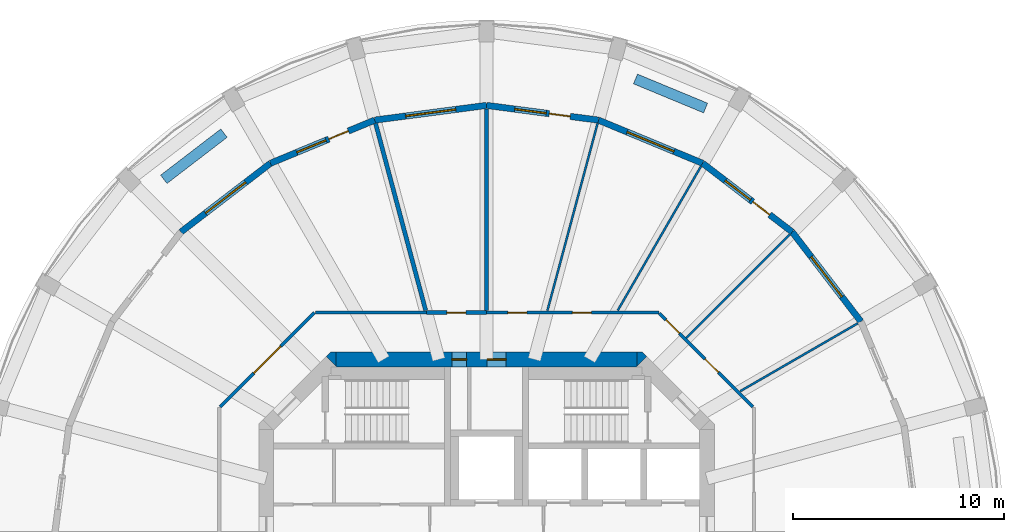
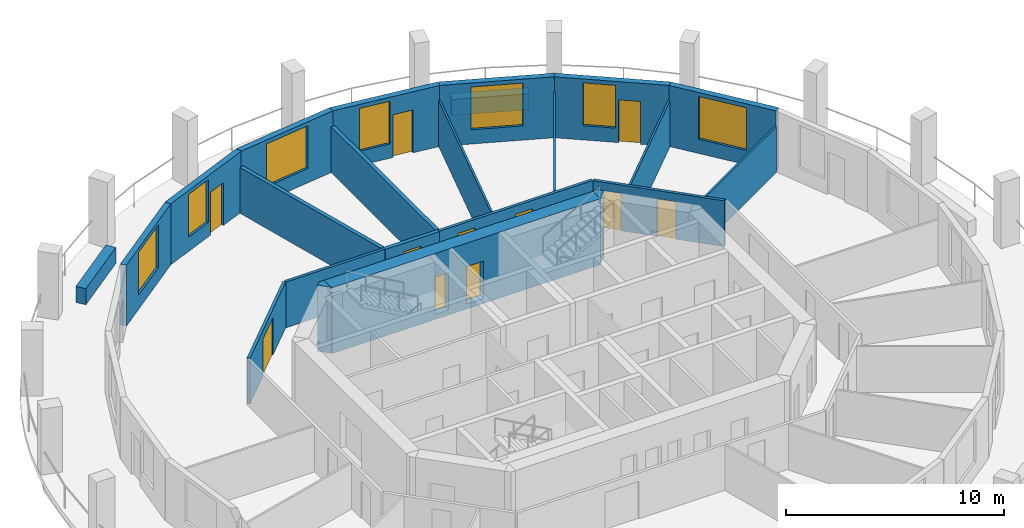
# One storey, part 6 of 9: 23 walls, 11 doors, 7 windows, 18 openings.
"""IFC4 building model written with IfcOpenShell, lengths in metres."""

from ifc_helpers import new_model, si_unit, direction, frame, frame_2d, origin, place, context, subcontext, project, spatial, polyline, rectangle, outline, extrude, material, layer, layer_set, type_object, element, fill, save


model = new_model("IFC4")

# Units and contexts
model_context = context("Model", 3, precision=1e-05, world=origin(), true_north=direction((0.0, 1.0)))
body_context = subcontext(model_context, "Body", "Model", "MODEL_VIEW")
ifc_project = project(units=[si_unit("LENGTHUNIT", "METRE"), si_unit("AREAUNIT", "SQUARE_METRE"), si_unit("VOLUMEUNIT", "CUBIC_METRE"), si_unit("PLANEANGLEUNIT", "RADIAN"), si_unit("MASSUNIT", "GRAM", prefix="KILO")], contexts=[model_context])

# Site, building, storey
site_placement = place(None, origin())
site = spatial("IfcSite", under=ifc_project, at=site_placement, CompositionType="ELEMENT")
building_placement = place(site_placement, origin())
building = spatial("IfcBuilding", under=site, at=building_placement, Name="Torre Triforio", CompositionType="ELEMENT")
storey_placement = place(building_placement, frame((0.0, 0.0, 233.5)))
storey = spatial("IfcBuildingStorey", under=building, at=storey_placement, Name="L53", CompositionType="ELEMENT", Elevation=233.5)

# Wall, openings, doors
ifc_material_1 = material(Name="Concrete C50", Category="concrete")
ifc_layer_1 = layer(ifc_material_1, 0.699951171875)
ifc_layer_set_1 = layer_set([ifc_layer_1], Name="Concrete C50")
wall_type_1 = type_object("IfcWallType", Name="Core wall 700 mm C50 EI 120", PredefinedType="SHEAR", material=ifc_layer_set_1)
wall_1_placement = place(storey_placement, frame((-7.1298828125, 8.449951171875, -0.280029296875), z_axis=(0.0, 0.0, 1.0), x_axis=(1.0, 0.0, 0.0)))
wall_1 = element("IfcWall", 1, at=wall_1_placement, inside=storey, type_object=wall_type_1, Name="Core wall", PredefinedType="SHEAR", context=body_context, shape_type="SweptSolid", body=[
    extrude(rectangle(XDim=14.259765625, YDim=0.699951171875, at=frame_2d((7.1298828125, 0.0))), origin(), (0.0, 0.0, 1.0), 3.699951171875),
])
opening_1_placement = place(wall_1_placement, frame((5.47998046875, 0.0, 0.280029296875)))
opening_1 = element("IfcOpeningElement", 2, at=opening_1_placement, cuts=wall_1, Name="Opening RISER-N", PredefinedType="OPENING", context=body_context, shape_type="SweptSolid", body=[
    extrude(rectangle(XDim=0.699951171875, YDim=2.10009765625, at=frame_2d((0.35009765625, 1.050048828125))), frame((0.0, 0.35986328125, 0.0), z_axis=(0.0, -1.0, 0.0), x_axis=(1.0, 0.0, 0.0)), (0.0, 0.0, 1.0), 0.719970703125),
])
opening_2_placement = place(wall_1_placement, frame((7.155029296875, 0.0, 0.280029296875)))
opening_2 = element("IfcOpeningElement", 3, at=opening_2_placement, cuts=wall_1, Name="Opening NE-01", PredefinedType="OPENING", context=body_context, shape_type="SweptSolid", body=[
    extrude(rectangle(XDim=0.89990234375, YDim=2.10009765625, at=frame_2d((0.449951171875, 1.050048828125))), frame((0.0, 0.35986328125, 0.0), z_axis=(0.0, -1.0, 0.0), x_axis=(1.0, 0.0, 0.0)), (0.0, 0.0, 1.0), 0.719970703125),
])
ifc_material_2 = material(Name="Hollow metal fire door leaf")
door_type_1 = type_object("IfcDoorType", Name="Riser door 700 x 2100 EI 60", OperationType="NOTDEFINED", PredefinedType="DOOR", material=ifc_material_2)
door_1_placement = place(opening_1_placement, origin())
door_1 = element("IfcDoor", 4, at=door_1_placement, inside=storey, type_object=door_type_1, Name="Core door RISER-N", OperationType="SINGLE_SWING_LEFT", OverallHeight=2.10009765625, OverallWidth=0.699951171875, PredefinedType="DOOR", context=body_context, shape_type="SweptSolid", body=[
    extrude(rectangle(XDim=0.699951171875, YDim=2.10009765625, at=frame_2d((0.35009765625, 1.050048828125))), frame((0.0, 0.02490234375, 0.0), z_axis=(0.0, -1.0, 0.0), x_axis=(1.0, 0.0, 0.0)), (0.0, 0.0, 1.0), 0.050048828125),
])
fill(opening_1, door_1)
door_type_2 = type_object("IfcDoorType", Name="Room door 900 x 2100 EI 60", OperationType="NOTDEFINED", PredefinedType="DOOR", material=ifc_material_2)
door_2_placement = place(opening_2_placement, origin())
door_2 = element("IfcDoor", 5, at=door_2_placement, inside=storey, type_object=door_type_2, Name="Core door NE-01", OperationType="SINGLE_SWING_RIGHT", OverallHeight=2.10009765625, OverallWidth=0.89990234375, PredefinedType="DOOR", context=body_context, shape_type="SweptSolid", body=[
    extrude(rectangle(XDim=0.89990234375, YDim=2.10009765625, at=frame_2d((0.449951171875, 1.050048828125))), frame((0.0, 0.02490234375, 0.0), z_axis=(0.0, -1.0, 0.0), x_axis=(1.0, 0.0, 0.0)), (0.0, 0.0, 1.0), 0.050048828125),
])
fill(opening_2, door_2)

# Walls
wall_2_placement = place(storey_placement, frame((0.0, 0.0, -0.280029296875)))
element("IfcWall", 6, at=wall_2_placement, inside=storey, type_object=wall_type_1, Name="Core wall", PredefinedType="SHEAR", context=body_context, shape_type="SweptSolid", body=[
    extrude(outline(polyline([(-7.389892578125, 8.800048828125), (-7.1298828125, 8.800048828125), (-7.1298828125, 8.800048828125), (-7.1298828125, 8.1298828125), (-7.594970703125, 8.594970703125), (-7.594970703125, 8.594970703125), (-7.594970703125, 8.594970703125), (-7.389892578125, 8.800048828125)])), origin(), (0.0, 0.0, 1.0), 3.699951171875),
])
wall_3_placement = place(storey_placement, frame((0.0, 0.0, -0.280029296875)))
element("IfcWall", 7, at=wall_3_placement, inside=storey, type_object=wall_type_1, Name="Core wall", PredefinedType="SHEAR", context=body_context, shape_type="SweptSolid", body=[
    extrude(outline(polyline([(7.389892578125, 8.800048828125), (7.594970703125, 8.594970703125), (7.594970703125, 8.594970703125), (7.594970703125, 8.594970703125), (7.1298828125, 8.1298828125), (7.1298828125, 8.800048828125), (7.1298828125, 8.800048828125), (7.389892578125, 8.800048828125)])), origin(), (0.0, 0.0, 1.0), 3.699951171875),
])

# Wall, opening, door
ifc_material_3 = material(Name="Plasterboard on metal studs")
ifc_layer_2 = layer(ifc_material_3, 0.14990234375)
ifc_layer_set_2 = layer_set([ifc_layer_2], Name="Plasterboard on metal studs")
wall_type_2 = type_object("IfcWallType", Name="Corridor and tenancy wall 150 mm EI 60", PredefinedType="PARTITIONING", material=ifc_layer_set_2)
wall_4_placement = place(storey_placement, frame((-12.637939453125, 6.20361328125, 0.0), z_axis=(0.0, 0.0, 1.0), x_axis=(0.707106781187, 0.707106781187, 0.0)))
wall_4 = element("IfcWall", 8, at=wall_4_placement, inside=storey, type_object=wall_type_2, Name="Partition 5", PredefinedType="PARTITIONING", context=body_context, shape_type="SweptSolid", body=[
    extrude(rectangle(XDim=6.323486328125, YDim=0.14990234375, at=frame_2d((3.16162109375, 0.0))), origin(), (0.0, 0.0, 1.0), 2.570068359375),
])
opening_3_placement = place(wall_4_placement, frame((2.26171875, 0.0, 0.0)))
opening_3 = element("IfcOpeningElement", 9, at=opening_3_placement, cuts=wall_4, Name="Opening O7-01", PredefinedType="OPENING", context=body_context, shape_type="SweptSolid", body=[
    extrude(rectangle(XDim=1.800048828125, YDim=2.10009765625, at=frame_2d((0.89990234375, 1.050048828125))), frame((0.0, 0.0849609375, 0.0), z_axis=(0.0, -1.0, 0.0), x_axis=(1.0, 0.0, 0.0)), (0.0, 0.0, 1.0), 0.169921875),
])
ifc_material_4 = material(Name="Timber", Category="wood")
door_type_3 = type_object("IfcDoorType", Name="Door 1800 x 2100 double leaf EI 30", OperationType="DOUBLE_DOOR_SINGLE_SWING", PredefinedType="DOOR", material=ifc_material_4)
door_3_placement = place(opening_3_placement, origin())
door_3 = element("IfcDoor", 10, at=door_3_placement, inside=storey, type_object=door_type_3, Name="Door O7-01", OperationType="DOUBLE_DOOR_SINGLE_SWING", OverallHeight=2.10009765625, OverallWidth=1.800048828125, PredefinedType="DOOR", context=body_context, shape_type="SweptSolid", body=[
    extrude(rectangle(XDim=1.800048828125, YDim=2.10009765625, at=frame_2d((0.89990234375, 1.050048828125))), frame((0.0, 0.02490234375, 0.0), z_axis=(0.0, -1.0, 0.0), x_axis=(1.0, 0.0, 0.0)), (0.0, 0.0, 1.0), 0.050048828125),
])
fill(opening_3, door_3)

# Wall
wall_5_placement = place(storey_placement, frame((-8.114013671875, 10.675048828125, 0.0), z_axis=(0.0, 0.0, 1.0), x_axis=(1.0, 0.0, 0.0)))
element("IfcWall", 11, at=wall_5_placement, inside=storey, type_object=wall_type_2, Name="Partition 6", PredefinedType="PARTITIONING", context=body_context, shape_type="SweptSolid", body=[
    extrude(rectangle(XDim=5.253662109375, YDim=0.14990234375, at=frame_2d((2.626953125, 0.0))), origin(), (0.0, 0.0, 1.0), 2.570068359375),
])

# Wall, openings, doors
wall_6_placement = place(storey_placement, frame((0.0, 10.675048828125, 0.0), z_axis=(0.0, 0.0, 1.0), x_axis=(1.0, 0.0, 0.0)))
wall_6 = element("IfcWall", 12, at=wall_6_placement, inside=storey, type_object=wall_type_2, Name="Partition 8", PredefinedType="PARTITIONING", context=body_context, shape_type="SweptSolid", body=[
    extrude(rectangle(XDim=8.16650390625, YDim=0.14990234375, at=frame_2d((4.083251953125, 0.0))), origin(), (0.0, 0.0, 1.0), 2.570068359375),
])
opening_4_placement = place(wall_6_placement, frame((4.065673828125, 0.0, 0.0)))
opening_4 = element("IfcOpeningElement", 13, at=opening_4_placement, cuts=wall_6, Name="Opening O7-14", PredefinedType="OPENING", context=body_context, shape_type="SweptSolid", body=[
    extrude(rectangle(XDim=0.89990234375, YDim=2.10009765625, at=frame_2d((0.449951171875, 1.050048828125))), frame((0.0, 0.0849609375, 0.0), z_axis=(0.0, -1.0, 0.0), x_axis=(1.0, 0.0, 0.0)), (0.0, 0.0, 1.0), 0.169921875),
])
opening_5_placement = place(wall_6_placement, frame((1.006103515625, 0.0, 0.0)))
opening_5 = element("IfcOpeningElement", 14, at=opening_5_placement, cuts=wall_6, Name="Opening O7-15", PredefinedType="OPENING", context=body_context, shape_type="SweptSolid", body=[
    extrude(rectangle(XDim=0.89990234375, YDim=2.10009765625, at=frame_2d((0.449951171875, 1.050048828125))), frame((0.0, 0.0849609375, 0.0), z_axis=(0.0, -1.0, 0.0), x_axis=(1.0, 0.0, 0.0)), (0.0, 0.0, 1.0), 0.169921875),
])
door_type_4 = type_object("IfcDoorType", Name="Door 900 x 2100 single leaf EI 30", OperationType="NOTDEFINED", PredefinedType="DOOR", material=ifc_material_4)
door_4_placement = place(opening_4_placement, origin())
door_4 = element("IfcDoor", 15, at=door_4_placement, inside=storey, type_object=door_type_4, Name="Door O7-14", OperationType="SINGLE_SWING_LEFT", OverallHeight=2.10009765625, OverallWidth=0.89990234375, PredefinedType="DOOR", context=body_context, shape_type="SweptSolid", body=[
    extrude(rectangle(XDim=0.89990234375, YDim=2.10009765625, at=frame_2d((0.449951171875, 1.050048828125))), frame((0.0, 0.02490234375, 0.0), z_axis=(0.0, -1.0, 0.0), x_axis=(1.0, 0.0, 0.0)), (0.0, 0.0, 1.0), 0.050048828125),
])
fill(opening_4, door_4)
door_5_placement = place(opening_5_placement, origin())
door_5 = element("IfcDoor", 16, at=door_5_placement, inside=storey, type_object=door_type_4, Name="Door O7-15", OperationType="SINGLE_SWING_RIGHT", OverallHeight=2.10009765625, OverallWidth=0.89990234375, PredefinedType="DOOR", context=body_context, shape_type="SweptSolid", body=[
    extrude(rectangle(XDim=0.89990234375, YDim=2.10009765625, at=frame_2d((0.449951171875, 1.050048828125))), frame((0.0, 0.02490234375, 0.0), z_axis=(0.0, -1.0, 0.0), x_axis=(1.0, 0.0, 0.0)), (0.0, 0.0, 1.0), 0.050048828125),
])
fill(opening_5, door_5)

wall_7_placement = place(storey_placement, frame((8.20361328125, 10.637939453125, 0.0), z_axis=(0.0, 0.0, 1.0), x_axis=(0.707106781187, -0.707106781187, 0.0)))
wall_7 = element("IfcWall", 17, at=wall_7_placement, inside=storey, type_object=wall_type_2, Name="Partition 9", PredefinedType="PARTITIONING", context=body_context, shape_type="SweptSolid", body=[
    extrude(rectangle(XDim=6.27099609375, YDim=0.14990234375, at=frame_2d((3.135498046875, 0.0))), origin(), (0.0, 0.0, 1.0), 2.570068359375),
])
opening_6_placement = place(wall_7_placement, frame((3.056884765625, 0.0, 0.0)))
opening_6 = element("IfcOpeningElement", 18, at=opening_6_placement, cuts=wall_7, Name="Opening O7-12", PredefinedType="OPENING", context=body_context, shape_type="SweptSolid", body=[
    extrude(rectangle(XDim=0.89990234375, YDim=2.10009765625, at=frame_2d((0.449951171875, 1.050048828125))), frame((0.0, 0.0849609375, 0.0), z_axis=(0.0, -1.0, 0.0), x_axis=(1.0, 0.0, 0.0)), (0.0, 0.0, 1.0), 0.169921875),
])
opening_7_placement = place(wall_7_placement, frame((0.435546875, 0.0, 0.0)))
opening_7 = element("IfcOpeningElement", 19, at=opening_7_placement, cuts=wall_7, Name="Opening O7-13", PredefinedType="OPENING", context=body_context, shape_type="SweptSolid", body=[
    extrude(rectangle(XDim=0.89990234375, YDim=2.10009765625, at=frame_2d((0.449951171875, 1.050048828125))), frame((0.0, 0.0849609375, 0.0), z_axis=(0.0, -1.0, 0.0), x_axis=(1.0, 0.0, 0.0)), (0.0, 0.0, 1.0), 0.169921875),
])
door_6_placement = place(opening_6_placement, origin())
door_6 = element("IfcDoor", 20, at=door_6_placement, inside=storey, type_object=door_type_4, Name="Door O7-12", OperationType="SINGLE_SWING_LEFT", OverallHeight=2.10009765625, OverallWidth=0.89990234375, PredefinedType="DOOR", context=body_context, shape_type="SweptSolid", body=[
    extrude(rectangle(XDim=0.89990234375, YDim=2.10009765625, at=frame_2d((0.449951171875, 1.050048828125))), frame((0.0, 0.02490234375, 0.0), z_axis=(0.0, -1.0, 0.0), x_axis=(1.0, 0.0, 0.0)), (0.0, 0.0, 1.0), 0.050048828125),
])
fill(opening_6, door_6)
door_7_placement = place(opening_7_placement, origin())
door_7 = element("IfcDoor", 21, at=door_7_placement, inside=storey, type_object=door_type_4, Name="Door O7-13", OperationType="SINGLE_SWING_LEFT", OverallHeight=2.10009765625, OverallWidth=0.89990234375, PredefinedType="DOOR", context=body_context, shape_type="SweptSolid", body=[
    extrude(rectangle(XDim=0.89990234375, YDim=2.10009765625, at=frame_2d((0.449951171875, 1.050048828125))), frame((0.0, 0.02490234375, 0.0), z_axis=(0.0, -1.0, 0.0), x_axis=(1.0, 0.0, 0.0)), (0.0, 0.0, 1.0), 0.050048828125),
])
fill(opening_7, door_7)

# Walls
ifc_layer_3 = layer(ifc_material_3, 0.10009765625)
ifc_layer_set_3 = layer_set([ifc_layer_3], Name="Plasterboard on metal studs")
wall_type_3 = type_object("IfcWallType", Name="Partition 100 mm board on metal studs", PredefinedType="PARTITIONING", material=ifc_layer_set_3)
wall_8_placement = place(storey_placement, frame((12.025146484375, 6.94287109375, 0.0), z_axis=(0.0, 0.0, 1.0), x_axis=(0.866026773083, 0.499997628298, 0.0)))
element("IfcWall", 22, at=wall_8_placement, inside=storey, type_object=wall_type_3, Name="Partition 12", PredefinedType="PARTITIONING", context=body_context, shape_type="SweptSolid", body=[
    extrude(rectangle(XDim=6.451171875, YDim=0.10009765625, at=frame_2d((3.2255859375, 0.0))), origin(), (0.0, 0.0, 1.0), 2.570068359375),
])
wall_9_placement = place(storey_placement, frame((9.473876953125, 9.473876953125, 0.0), z_axis=(0.0, 0.0, 1.0), x_axis=(0.707106781187, 0.707106781187, 0.0)))
element("IfcWall", 23, at=wall_9_placement, inside=storey, type_object=wall_type_3, Name="Partition 13", PredefinedType="PARTITIONING", context=body_context, shape_type="SweptSolid", body=[
    extrude(rectangle(XDim=6.9384765625, YDim=0.10009765625, at=frame_2d((3.46923828125, 0.0))), origin(), (0.0, 0.0, 1.0), 2.570068359375),
])
wall_10_placement = place(storey_placement, frame((6.220703125, 10.774658203125, 0.0), z_axis=(0.0, 0.0, 1.0), x_axis=(0.500016891966, 0.866015650984, 0.0)))
element("IfcWall", 24, at=wall_10_placement, inside=storey, type_object=wall_type_3, Name="Partition 14", PredefinedType="PARTITIONING", context=body_context, shape_type="SweptSolid", body=[
    extrude(rectangle(XDim=7.895263671875, YDim=0.10009765625, at=frame_2d((3.94775390625, 0.0))), origin(), (0.0, 0.0, 1.0), 2.570068359375),
])
wall_11_placement = place(storey_placement, frame((2.88427734375, 10.764404296875, 0.0), z_axis=(0.0, 0.0, 1.0), x_axis=(0.258811310764, 0.965927898666, 0.0)))
element("IfcWall", 25, at=wall_11_placement, inside=storey, type_object=wall_type_3, Name="Partition 15", PredefinedType="PARTITIONING", context=body_context, shape_type="SweptSolid", body=[
    extrude(rectangle(XDim=9.192626953125, YDim=0.10009765625, at=frame_2d((4.59619140625, 0.0))), origin(), (0.0, 0.0, 1.0), 2.570068359375),
])

# Wall, opening, door
ifc_material_5 = material(Name="Masonry block", Category="masonry")
ifc_layer_4 = layer(ifc_material_5, 0.199951171875)
ifc_layer_set_4 = layer_set([ifc_layer_4], Name="Masonry block")
wall_type_4 = type_object("IfcWallType", Name="Plant room wall 200 mm block EI 120", PredefinedType="PARTITIONING", material=ifc_layer_set_4)
wall_12_placement = place(storey_placement, frame((-2.8603515625, 10.675048828125, 0.0), z_axis=(0.0, 0.0, 1.0), x_axis=(1.0, 0.0, 0.0)))
wall_12 = element("IfcWall", 26, at=wall_12_placement, inside=storey, type_object=wall_type_4, Name="Partition 7", PredefinedType="PARTITIONING", context=body_context, shape_type="SweptSolid", body=[
    extrude(rectangle(XDim=2.8603515625, YDim=0.199951171875, at=frame_2d((1.43017578125, 0.0))), origin(), (0.0, 0.0, 1.0), 2.570068359375),
])
opening_8_placement = place(wall_12_placement, frame((0.980224609375, 0.0, 0.0)))
opening_8 = element("IfcOpeningElement", 27, at=opening_8_placement, cuts=wall_12, Name="Opening O7-16", PredefinedType="OPENING", context=body_context, shape_type="SweptSolid", body=[
    extrude(rectangle(XDim=0.89990234375, YDim=2.10009765625, at=frame_2d((0.449951171875, 1.050048828125))), frame((0.0, 0.10986328125, 0.0), z_axis=(0.0, -1.0, 0.0), x_axis=(1.0, 0.0, 0.0)), (0.0, 0.0, 1.0), 0.219970703125),
])
door_type_5 = type_object("IfcDoorType", Name="Door 900 x 2100 single leaf EI 60", OperationType="NOTDEFINED", PredefinedType="DOOR", material=ifc_material_2)
door_8_placement = place(opening_8_placement, origin())
door_8 = element("IfcDoor", 28, at=door_8_placement, inside=storey, type_object=door_type_5, Name="Door O7-16", OperationType="SINGLE_SWING_LEFT", OverallHeight=2.10009765625, OverallWidth=0.89990234375, PredefinedType="DOOR", context=body_context, shape_type="SweptSolid", body=[
    extrude(rectangle(XDim=0.89990234375, YDim=2.10009765625, at=frame_2d((0.449951171875, 1.050048828125))), frame((0.0, 0.02490234375, 0.0), z_axis=(0.0, -1.0, 0.0), x_axis=(1.0, 0.0, 0.0)), (0.0, 0.0, 1.0), 0.050048828125),
])
fill(opening_8, door_8)

# Walls
wall_13_placement = place(storey_placement, frame((0.0, 10.77490234375, 0.0), z_axis=(0.0, 0.0, 1.0), x_axis=(0.0, 1.0, 0.0)))
element("IfcWall", 29, at=wall_13_placement, inside=storey, type_object=wall_type_4, Name="Partition 16", PredefinedType="PARTITIONING", context=body_context, shape_type="SweptSolid", body=[
    extrude(rectangle(XDim=9.561767578125, YDim=0.199951171875, at=frame_2d((4.78076171875, 0.0))), origin(), (0.0, 0.0, 1.0), 2.570068359375),
])
wall_14_placement = place(storey_placement, frame((-2.887451171875, 10.7763671875, 0.0), z_axis=(0.0, 0.0, 1.0), x_axis=(-0.258814513846, 0.965927040424, 0.0)))
element("IfcWall", 30, at=wall_14_placement, inside=storey, type_object=wall_type_4, Name="Partition 17", PredefinedType="PARTITIONING", context=body_context, shape_type="SweptSolid", body=[
    extrude(rectangle(XDim=9.18017578125, YDim=0.199951171875, at=frame_2d((4.590087890625, 0.0))), origin(), (0.0, 0.0, 1.0), 2.570068359375),
])
ifc_material_6 = material(Name="Limestone cladding", Category="masonry")
ifc_layer_5 = layer(ifc_material_6, 0.10009765625)
ifc_material_7 = material(Name="Concrete C40", Category="concrete")
ifc_layer_6 = layer(ifc_material_7, 0.39990234375)
ifc_layer_set_5 = layer_set([ifc_layer_5, ifc_layer_6], Name="Limestone cladding / Concrete C40")
wall_type_5 = type_object("IfcWallType", Name="Planter wall 500", PredefinedType="PARAPET", material=ifc_layer_set_5)
for number, where, z_axis, x_axis, name in (
    (31, (10.38818359375, 20.37548828125, 0.0), (0.0, 0.0, 1.0), (-0.923851510231, 0.38275107713, 0.0), "Planter L53 bay 05"),
    (32, (-12.45166015625, 19.18408203125, 0.0), (0.0, 0.0, 1.0), (-0.793384730612, -0.608720518162, 0.0), "Planter L53 bay 09"),
):
    element("IfcWall", number, at=place(storey_placement, frame(where, z_axis=z_axis, x_axis=x_axis)), inside=storey, type_object=wall_type_5, Name=name, PredefinedType="PARAPET", context=body_context, shape_type="SweptSolid", body=[
        extrude(rectangle(XDim=3.60009765625, YDim=0.5, at=frame_2d((1.800048828125, 0.0))), origin(), (0.0, 0.0, 1.0), 0.89990234375),
    ])

# Wall, opening, window
ifc_layer_7 = layer(ifc_material_6, 0.10009765625)
ifc_layer_8 = layer(ifc_material_7, 0.199951171875)
ifc_layer_set_6 = layer_set([ifc_layer_7, ifc_layer_8], Name="Limestone cladding / Concrete C40")
wall_type_6 = type_object("IfcWallType", Name="Stone-faced composite wall 300", PredefinedType="STANDARD", material=ifc_layer_set_6)
wall_15_placement = place(storey_placement, frame((17.75341796875, 10.25, 0.0), z_axis=(0.0, 0.0, 1.0), x_axis=(-0.60876670321, 0.793349293227, 0.0)))
wall_15 = element("IfcWall", 33, at=wall_15_placement, inside=storey, type_object=wall_type_6, Name="External wall L53 bay 03", PredefinedType="STANDARD", context=body_context, shape_type="SweptSolid", body=[
    extrude(rectangle(XDim=5.3515625, YDim=0.300048828125, at=frame_2d((2.67578125, 0.0))), origin(), (0.0, 0.0, 1.0), 3.419921875),
])
opening_9_placement = place(wall_15_placement, frame((1.475830078125, 0.0, 0.800048828125)))
opening_9 = element("IfcOpeningElement", 34, at=opening_9_placement, cuts=wall_15, Name="Opening O7-W03", PredefinedType="OPENING", context=body_context, shape_type="SweptSolid", body=[
    extrude(rectangle(XDim=2.39990234375, YDim=2.39990234375, at=frame_2d((1.199951171875, 1.199951171875))), frame((0.0, 0.159912109375, 0.0), z_axis=(0.0, -1.0, 0.0), x_axis=(1.0, 0.0, 0.0)), (0.0, 0.0, 1.0), 0.320068359375),
])
ifc_material_8 = material(Name="Aluminium frame with clear double glazing", Category="aluminium")
window_type_1 = type_object("IfcWindowType", Name="Punched window 2400 x 2400", PartitioningType="DOUBLE_PANEL_VERTICAL", PredefinedType="WINDOW", material=ifc_material_8)
window_1_placement = place(opening_9_placement, origin())
window_1 = element("IfcWindow", 35, at=window_1_placement, inside=storey, type_object=window_type_1, Name="Window EWN4 L53 bay 03", OverallHeight=2.39990234375, OverallWidth=2.39990234375, PartitioningType="SINGLE_PANEL", PredefinedType="WINDOW", context=body_context, shape_type="SweptSolid", body=[
    extrude(rectangle(XDim=2.39990234375, YDim=2.39990234375, at=frame_2d((1.199951171875, 1.199951171875))), frame((0.0, 0.030029296875, 0.0), z_axis=(0.0, -1.0, 0.0), x_axis=(1.0, 0.0, 0.0)), (0.0, 0.0, 1.0), 0.06005859375),
])
fill(opening_9, window_1)

# Wall, openings, door, window
wall_16_placement = place(storey_placement, frame((14.49560546875, 14.49560546875, 0.0), z_axis=(0.0, 0.0, 1.0), x_axis=(-0.793349293227, 0.60876670321, 0.0)))
wall_16 = element("IfcWall", 36, at=wall_16_placement, inside=storey, type_object=wall_type_6, Name="External wall L53 bay 04", PredefinedType="STANDARD", context=body_context, shape_type="SweptSolid", body=[
    extrude(rectangle(XDim=5.3515625, YDim=0.300048828125, at=frame_2d((2.67578125, 0.0))), origin(), (0.0, 0.0, 1.0), 3.419921875),
])
opening_10_placement = place(wall_16_placement, frame((1.350830078125, 0.0, 0.0)))
opening_10 = element("IfcOpeningElement", 37, at=opening_10_placement, cuts=wall_16, Name="Opening O7-D04", PredefinedType="OPENING", context=body_context, shape_type="SweptSolid", body=[
    extrude(rectangle(XDim=1.0, YDim=2.39990234375, at=frame_2d((0.5, 1.199951171875))), frame((0.0, 0.159912109375, 0.0), z_axis=(0.0, -1.0, 0.0), x_axis=(1.0, 0.0, 0.0)), (0.0, 0.0, 1.0), 0.320068359375),
])
opening_11_placement = place(wall_16_placement, frame((2.500732421875, 0.0, 0.800048828125)))
opening_11 = element("IfcOpeningElement", 38, at=opening_11_placement, cuts=wall_16, Name="Opening O7-W04A", PredefinedType="OPENING", context=body_context, shape_type="SweptSolid", body=[
    extrude(rectangle(XDim=1.5, YDim=2.39990234375, at=frame_2d((0.75, 1.199951171875))), frame((0.0, 0.159912109375, 0.0), z_axis=(0.0, -1.0, 0.0), x_axis=(1.0, 0.0, 0.0)), (0.0, 0.0, 1.0), 0.320068359375),
])
door_type_6 = type_object("IfcDoorType", Name="Loggia door 1000 x 2400", OperationType="NOTDEFINED", PredefinedType="DOOR", material=ifc_material_8)
door_9_placement = place(opening_10_placement, origin())
door_9 = element("IfcDoor", 39, at=door_9_placement, inside=storey, type_object=door_type_6, Name="Loggia door L53 bay 04", OperationType="SINGLE_SWING_LEFT", OverallHeight=2.39990234375, OverallWidth=1.0, PredefinedType="DOOR", context=body_context, shape_type="SweptSolid", body=[
    extrude(rectangle(XDim=1.0, YDim=2.39990234375, at=frame_2d((0.5, 1.199951171875))), frame((0.0, 0.02490234375, 0.0), z_axis=(0.0, -1.0, 0.0), x_axis=(1.0, 0.0, 0.0)), (0.0, 0.0, 1.0), 0.050048828125),
])
fill(opening_10, door_9)
window_type_2 = type_object("IfcWindowType", Name="Side window 1500 x 2400", PartitioningType="SINGLE_PANEL", PredefinedType="WINDOW", material=ifc_material_8)
window_2_placement = place(opening_11_placement, origin())
window_2 = element("IfcWindow", 40, at=window_2_placement, inside=storey, type_object=window_type_2, Name="Side window EWN14 L53 bay 04", OverallHeight=2.39990234375, OverallWidth=1.5, PartitioningType="SINGLE_PANEL", PredefinedType="WINDOW", context=body_context, shape_type="SweptSolid", body=[
    extrude(rectangle(XDim=1.5, YDim=2.39990234375, at=frame_2d((0.75, 1.199951171875))), frame((0.0, 0.030029296875, 0.0), z_axis=(0.0, -1.0, 0.0), x_axis=(1.0, 0.0, 0.0)), (0.0, 0.0, 1.0), 0.06005859375),
])
fill(opening_11, window_2)

# Wall, opening, window
wall_17_placement = place(storey_placement, frame((10.25, 17.75341796875, 0.0), z_axis=(0.0, 0.0, 1.0), x_axis=(-0.923867255172, 0.382713071139, 0.0)))
wall_17 = element("IfcWall", 41, at=wall_17_placement, inside=storey, type_object=wall_type_6, Name="External wall L53 bay 05", PredefinedType="STANDARD", context=body_context, shape_type="SweptSolid", body=[
    extrude(rectangle(XDim=5.3515625, YDim=0.300048828125, at=frame_2d((2.67578125, 0.0))), origin(), (0.0, 0.0, 1.0), 3.419921875),
])
opening_12_placement = place(wall_17_placement, frame((1.475830078125, 0.0, 0.800048828125)))
opening_12 = element("IfcOpeningElement", 42, at=opening_12_placement, cuts=wall_17, Name="Opening O7-W05", PredefinedType="OPENING", context=body_context, shape_type="SweptSolid", body=[
    extrude(rectangle(XDim=2.39990234375, YDim=2.39990234375, at=frame_2d((1.199951171875, 1.199951171875))), frame((0.0, 0.159912109375, 0.0), z_axis=(0.0, -1.0, 0.0), x_axis=(1.0, 0.0, 0.0)), (0.0, 0.0, 1.0), 0.320068359375),
])
window_3_placement = place(opening_12_placement, origin())
window_3 = element("IfcWindow", 43, at=window_3_placement, inside=storey, type_object=window_type_1, Name="Window EWN4 L53 bay 05", OverallHeight=2.39990234375, OverallWidth=2.39990234375, PartitioningType="SINGLE_PANEL", PredefinedType="WINDOW", context=body_context, shape_type="SweptSolid", body=[
    extrude(rectangle(XDim=2.39990234375, YDim=2.39990234375, at=frame_2d((1.199951171875, 1.199951171875))), frame((0.0, 0.030029296875, 0.0), z_axis=(0.0, -1.0, 0.0), x_axis=(1.0, 0.0, 0.0)), (0.0, 0.0, 1.0), 0.06005859375),
])
fill(opening_12, window_3)

# Wall, openings, door, window
wall_18_placement = place(storey_placement, frame((5.305908203125, 19.801513671875, 0.0), z_axis=(0.0, 0.0, 1.0), x_axis=(-0.991446064069, 0.130517056518, 0.0)))
wall_18 = element("IfcWall", 44, at=wall_18_placement, inside=storey, type_object=wall_type_6, Name="External wall L53 bay 06", PredefinedType="STANDARD", context=body_context, shape_type="SweptSolid", body=[
    extrude(rectangle(XDim=5.351806640625, YDim=0.300048828125, at=frame_2d((2.67578125, 0.0))), origin(), (0.0, 0.0, 1.0), 3.419921875),
])
opening_13_placement = place(wall_18_placement, frame((1.350830078125, 0.0, 0.0)))
opening_13 = element("IfcOpeningElement", 45, at=opening_13_placement, cuts=wall_18, Name="Opening O7-D06", PredefinedType="OPENING", context=body_context, shape_type="SweptSolid", body=[
    extrude(rectangle(XDim=1.0, YDim=2.39990234375, at=frame_2d((0.5, 1.199951171875))), frame((0.0, 0.159912109375, 0.0), z_axis=(0.0, -1.0, 0.0), x_axis=(1.0, 0.0, 0.0)), (0.0, 0.0, 1.0), 0.320068359375),
])
opening_14_placement = place(wall_18_placement, frame((2.500732421875, 0.0, 0.800048828125)))
opening_14 = element("IfcOpeningElement", 46, at=opening_14_placement, cuts=wall_18, Name="Opening O7-W06A", PredefinedType="OPENING", context=body_context, shape_type="SweptSolid", body=[
    extrude(rectangle(XDim=1.5, YDim=2.39990234375, at=frame_2d((0.75, 1.199951171875))), frame((0.0, 0.159912109375, 0.0), z_axis=(0.0, -1.0, 0.0), x_axis=(1.0, 0.0, 0.0)), (0.0, 0.0, 1.0), 0.320068359375),
])
door_10_placement = place(opening_13_placement, origin())
door_10 = element("IfcDoor", 47, at=door_10_placement, inside=storey, type_object=door_type_6, Name="Loggia door L53 bay 06", OperationType="SINGLE_SWING_LEFT", OverallHeight=2.39990234375, OverallWidth=1.0, PredefinedType="DOOR", context=body_context, shape_type="SweptSolid", body=[
    extrude(rectangle(XDim=1.0, YDim=2.39990234375, at=frame_2d((0.5, 1.199951171875))), frame((0.0, 0.02490234375, 0.0), z_axis=(0.0, -1.0, 0.0), x_axis=(1.0, 0.0, 0.0)), (0.0, 0.0, 1.0), 0.050048828125),
])
fill(opening_13, door_10)
window_4_placement = place(opening_14_placement, origin())
window_4 = element("IfcWindow", 48, at=window_4_placement, inside=storey, type_object=window_type_2, Name="Side window EWN14 L53 bay 06", OverallHeight=2.39990234375, OverallWidth=1.5, PartitioningType="SINGLE_PANEL", PredefinedType="WINDOW", context=body_context, shape_type="SweptSolid", body=[
    extrude(rectangle(XDim=1.5, YDim=2.39990234375, at=frame_2d((0.75, 1.199951171875))), frame((0.0, 0.030029296875, 0.0), z_axis=(0.0, -1.0, 0.0), x_axis=(1.0, 0.0, 0.0)), (0.0, 0.0, 1.0), 0.06005859375),
])
fill(opening_14, window_4)

# Wall, opening, window
wall_19_placement = place(storey_placement, frame((0.0, 20.5, 0.0), z_axis=(0.0, 0.0, 1.0), x_axis=(-0.991446064069, -0.130517056518, 0.0)))
wall_19 = element("IfcWall", 49, at=wall_19_placement, inside=storey, type_object=wall_type_6, Name="External wall L53 bay 07", PredefinedType="STANDARD", context=body_context, shape_type="SweptSolid", body=[
    extrude(rectangle(XDim=5.351806640625, YDim=0.300048828125, at=frame_2d((2.67578125, 0.0))), origin(), (0.0, 0.0, 1.0), 3.419921875),
])
opening_15_placement = place(wall_19_placement, frame((1.475830078125, 0.0, 0.800048828125)))
opening_15 = element("IfcOpeningElement", 50, at=opening_15_placement, cuts=wall_19, Name="Opening O7-W07", PredefinedType="OPENING", context=body_context, shape_type="SweptSolid", body=[
    extrude(rectangle(XDim=2.39990234375, YDim=2.39990234375, at=frame_2d((1.199951171875, 1.199951171875))), frame((0.0, 0.159912109375, 0.0), z_axis=(0.0, -1.0, 0.0), x_axis=(1.0, 0.0, 0.0)), (0.0, 0.0, 1.0), 0.320068359375),
])
window_5_placement = place(opening_15_placement, origin())
window_5 = element("IfcWindow", 51, at=window_5_placement, inside=storey, type_object=window_type_1, Name="Window EWN4 L53 bay 07", OverallHeight=2.39990234375, OverallWidth=2.39990234375, PartitioningType="SINGLE_PANEL", PredefinedType="WINDOW", context=body_context, shape_type="SweptSolid", body=[
    extrude(rectangle(XDim=2.39990234375, YDim=2.39990234375, at=frame_2d((1.199951171875, 1.199951171875))), frame((0.0, 0.030029296875, 0.0), z_axis=(0.0, -1.0, 0.0), x_axis=(1.0, 0.0, 0.0)), (0.0, 0.0, 1.0), 0.06005859375),
])
fill(opening_15, window_5)

# Wall, openings, door, window
wall_20_placement = place(storey_placement, frame((-5.305908203125, 19.801513671875, 0.0), z_axis=(0.0, 0.0, 1.0), x_axis=(-0.923867255172, -0.382713071139, 0.0)))
wall_20 = element("IfcWall", 52, at=wall_20_placement, inside=storey, type_object=wall_type_6, Name="External wall L53 bay 08", PredefinedType="STANDARD", context=body_context, shape_type="SweptSolid", body=[
    extrude(rectangle(XDim=5.3515625, YDim=0.300048828125, at=frame_2d((2.67578125, 0.0))), origin(), (0.0, 0.0, 1.0), 3.419921875),
])
opening_16_placement = place(wall_20_placement, frame((1.350830078125, 0.0, 0.0)))
opening_16 = element("IfcOpeningElement", 53, at=opening_16_placement, cuts=wall_20, Name="Opening O7-D08", PredefinedType="OPENING", context=body_context, shape_type="SweptSolid", body=[
    extrude(rectangle(XDim=1.0, YDim=2.39990234375, at=frame_2d((0.5, 1.199951171875))), frame((0.0, 0.159912109375, 0.0), z_axis=(0.0, -1.0, 0.0), x_axis=(1.0, 0.0, 0.0)), (0.0, 0.0, 1.0), 0.320068359375),
])
opening_17_placement = place(wall_20_placement, frame((2.500732421875, 0.0, 0.800048828125)))
opening_17 = element("IfcOpeningElement", 54, at=opening_17_placement, cuts=wall_20, Name="Opening O7-W08A", PredefinedType="OPENING", context=body_context, shape_type="SweptSolid", body=[
    extrude(rectangle(XDim=1.5, YDim=2.39990234375, at=frame_2d((0.75, 1.199951171875))), frame((0.0, 0.159912109375, 0.0), z_axis=(0.0, -1.0, 0.0), x_axis=(1.0, 0.0, 0.0)), (0.0, 0.0, 1.0), 0.320068359375),
])
door_11_placement = place(opening_16_placement, origin())
door_11 = element("IfcDoor", 55, at=door_11_placement, inside=storey, type_object=door_type_6, Name="Loggia door L53 bay 08", OperationType="SINGLE_SWING_LEFT", OverallHeight=2.39990234375, OverallWidth=1.0, PredefinedType="DOOR", context=body_context, shape_type="SweptSolid", body=[
    extrude(rectangle(XDim=1.0, YDim=2.39990234375, at=frame_2d((0.5, 1.199951171875))), frame((0.0, 0.02490234375, 0.0), z_axis=(0.0, -1.0, 0.0), x_axis=(1.0, 0.0, 0.0)), (0.0, 0.0, 1.0), 0.050048828125),
])
fill(opening_16, door_11)
window_6_placement = place(opening_17_placement, origin())
window_6 = element("IfcWindow", 56, at=window_6_placement, inside=storey, type_object=window_type_2, Name="Side window EWN14 L53 bay 08", OverallHeight=2.39990234375, OverallWidth=1.5, PartitioningType="SINGLE_PANEL", PredefinedType="WINDOW", context=body_context, shape_type="SweptSolid", body=[
    extrude(rectangle(XDim=1.5, YDim=2.39990234375, at=frame_2d((0.75, 1.199951171875))), frame((0.0, 0.030029296875, 0.0), z_axis=(0.0, -1.0, 0.0), x_axis=(1.0, 0.0, 0.0)), (0.0, 0.0, 1.0), 0.06005859375),
])
fill(opening_17, window_6)

# Wall, opening, window
wall_21_placement = place(storey_placement, frame((-10.25, 17.75341796875, 0.0), z_axis=(0.0, 0.0, 1.0), x_axis=(-0.793349293227, -0.60876670321, 0.0)))
wall_21 = element("IfcWall", 57, at=wall_21_placement, inside=storey, type_object=wall_type_6, Name="External wall L53 bay 09", PredefinedType="STANDARD", context=body_context, shape_type="SweptSolid", body=[
    extrude(rectangle(XDim=5.3515625, YDim=0.300048828125, at=frame_2d((2.67578125, 0.0))), origin(), (0.0, 0.0, 1.0), 3.419921875),
])
opening_18_placement = place(wall_21_placement, frame((1.475830078125, 0.0, 0.800048828125)))
opening_18 = element("IfcOpeningElement", 58, at=opening_18_placement, cuts=wall_21, Name="Opening O7-W09", PredefinedType="OPENING", context=body_context, shape_type="SweptSolid", body=[
    extrude(rectangle(XDim=2.39990234375, YDim=2.39990234375, at=frame_2d((1.199951171875, 1.199951171875))), frame((0.0, 0.159912109375, 0.0), z_axis=(0.0, -1.0, 0.0), x_axis=(1.0, 0.0, 0.0)), (0.0, 0.0, 1.0), 0.320068359375),
])
window_7_placement = place(opening_18_placement, origin())
window_7 = element("IfcWindow", 59, at=window_7_placement, inside=storey, type_object=window_type_1, Name="Window EWN4 L53 bay 09", OverallHeight=2.39990234375, OverallWidth=2.39990234375, PartitioningType="SINGLE_PANEL", PredefinedType="WINDOW", context=body_context, shape_type="SweptSolid", body=[
    extrude(rectangle(XDim=2.39990234375, YDim=2.39990234375, at=frame_2d((1.199951171875, 1.199951171875))), frame((0.0, 0.030029296875, 0.0), z_axis=(0.0, -1.0, 0.0), x_axis=(1.0, 0.0, 0.0)), (0.0, 0.0, 1.0), 0.06005859375),
])
fill(opening_18, window_7)

save(model, "model.ifc")
